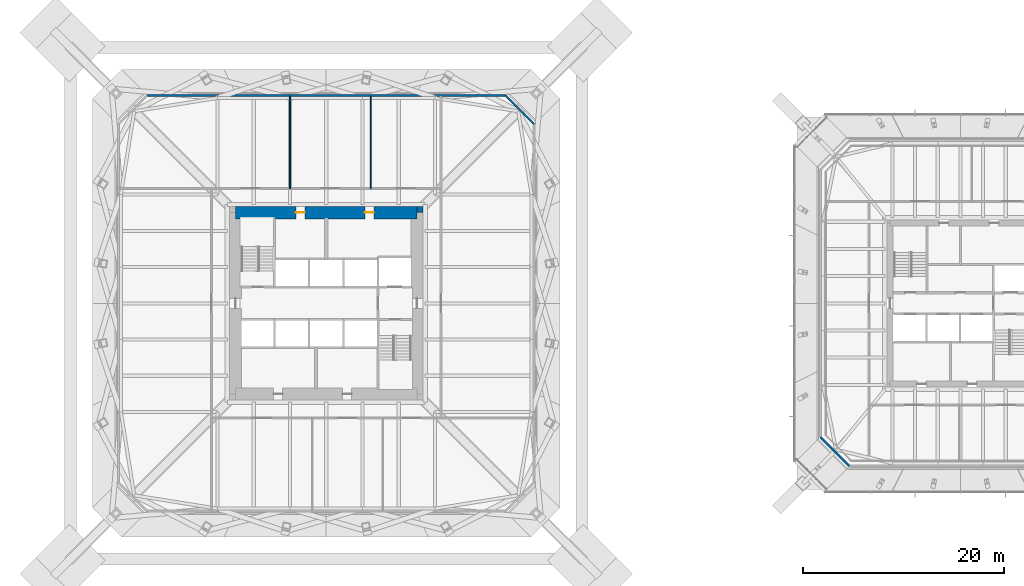
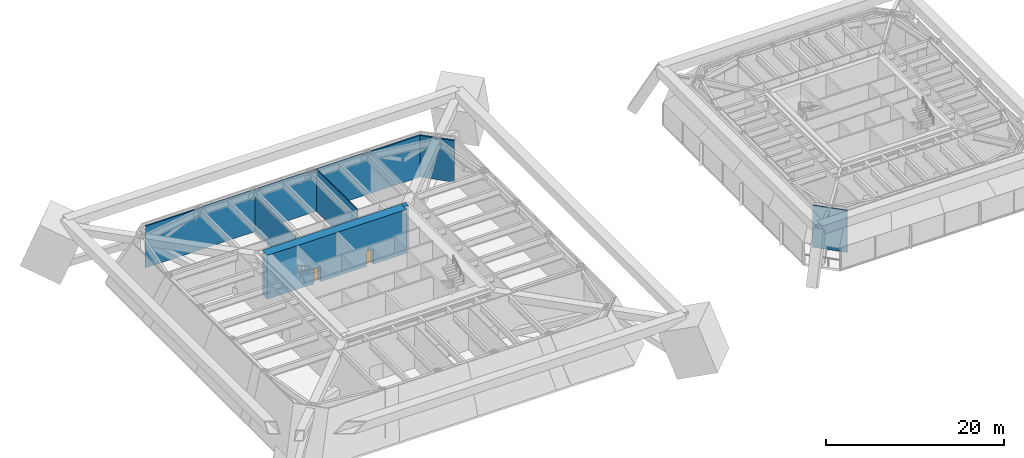
# One storey, part 10 of 16: 7 walls, 2 doors, 2 openings.
"""IFC4 building model written with IfcOpenShell, lengths in metres."""

from ifc_helpers import new_model, si_unit, direction, frame, frame_2d, origin, place, context, subcontext, project, spatial, rectangle, extrude, material, layer, layer_set, type_object, element, fill, save


model = new_model("IFC4")

# Units and contexts
model_context = context("Model", 3, precision=1e-05, world=origin(), true_north=direction((0.0, 1.0)))
body_context = subcontext(model_context, "Body", "Model", "MODEL_VIEW")
ifc_project = project(units=[si_unit("LENGTHUNIT", "METRE"), si_unit("AREAUNIT", "SQUARE_METRE"), si_unit("VOLUMEUNIT", "CUBIC_METRE"), si_unit("PLANEANGLEUNIT", "RADIAN"), si_unit("MASSUNIT", "GRAM", prefix="KILO")], contexts=[model_context])

# Site, building, storey
site_placement = place(None, origin())
site = spatial("IfcSite", under=ifc_project, at=site_placement, CompositionType="ELEMENT")
building_placement = place(site_placement, origin())
building = spatial("IfcBuilding", under=site, at=building_placement, Name="Iwan Alto Co-Living Towers", CompositionType="ELEMENT")
storey_placement = place(building_placement, frame((0.0, 0.0, 74.5)))
storey = spatial("IfcBuildingStorey", under=building, at=storey_placement, Name="L20", CompositionType="ELEMENT", Elevation=74.5)

# Walls
ifc_material_1 = material(Name="Gypsum board")
ifc_layer_1 = layer(ifc_material_1, 0.012451171875, Name="Board", Category="Finish")
ifc_material_2 = material(Name="Steel ASTM A1003 ST33H cold-formed studs", Category="steel")
ifc_layer_2 = layer(ifc_material_2, 0.074951171875, Name="Studs", Category="Framing")
ifc_layer_3 = layer(ifc_material_1, 0.012451171875, Name="Board", Category="Finish")
ifc_layer_set_1 = layer_set([ifc_layer_1, ifc_layer_2, ifc_layer_3], Name="PARTITION 100")
wall_type_1 = type_object("IfcWallType", Name="PARTITION 100", PredefinedType="PARTITIONING", material=ifc_layer_set_1)
wall_1_placement = place(storey_placement, frame((4.39990234375, 11.39990234375, 0.0), z_axis=(0.0, 0.0, 1.0), x_axis=(0.0, 1.0, 0.0)))
element("IfcWall", 1, at=wall_1_placement, inside=storey, type_object=wall_type_1, Name="Partition L20", PredefinedType="PARTITIONING", context=body_context, shape_type="SweptSolid", body=[
    extrude(rectangle(XDim=9.190185546875, YDim=0.10009765625, at=frame_2d((4.59521484375, 0.0))), origin(), (0.0, 0.0, 1.0), 5.77001953125),
])
wall_2_placement = place(storey_placement, frame((-3.60009765625, 11.39990234375, 0.0), z_axis=(0.0, 0.0, 1.0), x_axis=(0.0, 1.0, 0.0)))
element("IfcWall", 2, at=wall_2_placement, inside=storey, type_object=wall_type_1, Name="Partition L20", PredefinedType="PARTITIONING", context=body_context, shape_type="SweptSolid", body=[
    extrude(rectangle(XDim=9.190185546875, YDim=0.10009765625, at=frame_2d((4.59521484375, 0.0))), origin(), (0.0, 0.0, 1.0), 4.843017578125),
])
ifc_material_3 = material(Name="Aluminium 6063-T6 bronze anodised", Category="aluminium")
ifc_layer_4 = layer(ifc_material_3, 0.050048828125, Name="Louvred screen", Category="Finish")
ifc_layer_5 = layer(ifc_material_2, 0.14990234375, Name="Studs", Category="Framing")
ifc_layer_set_2 = layer_set([ifc_layer_4, ifc_layer_5], Name="PLANT PLENUM WALL 200")
wall_type_2 = type_object("IfcWallType", Name="PLANT PLENUM WALL 200", PredefinedType="PARTITIONING", material=ifc_layer_set_2)
wall_3_placement = place(storey_placement, frame((20.64990234375, 17.794921875, 0.0), z_axis=(0.0, 0.0, 1.0), x_axis=(-0.707106781187, 0.707106781187, 0.0)))
element("IfcWall", 3, at=wall_3_placement, inside=storey, type_object=wall_type_2, Name="T1 plant plenum wall L20 4", PredefinedType="PARTITIONING", context=body_context, shape_type="SweptSolid", body=[
    extrude(rectangle(XDim=4.03759765625, YDim=0.199951171875, at=frame_2d((2.018798828125, 0.0))), origin(), (0.0, 0.0, 1.0), 5.699951171875),
])
wall_4_placement = place(storey_placement, frame((17.794921875, 20.64990234375, 0.0), z_axis=(0.0, 0.0, 1.0), x_axis=(-1.0, 0.0, 0.0)))
element("IfcWall", 4, at=wall_4_placement, inside=storey, type_object=wall_type_2, Name="T1 plant plenum wall L20 5", PredefinedType="PARTITIONING", context=body_context, shape_type="SweptSolid", body=[
    extrude(rectangle(XDim=35.58984375, YDim=0.199951171875, at=frame_2d((17.794921875, 0.0))), origin(), (0.0, 0.0, 1.0), 5.699951171875),
])
wall_5_placement = place(storey_placement, frame((49.10009765625, -13.294921875, 0.0), z_axis=(0.0, 0.0, 1.0), x_axis=(0.707106781187, -0.707106781187, 0.0)))
element("IfcWall", 5, at=wall_5_placement, inside=storey, type_object=wall_type_2, Name="T2 plant plenum wall L20 8", PredefinedType="PARTITIONING", context=body_context, shape_type="SweptSolid", body=[
    extrude(rectangle(XDim=4.03759765625, YDim=0.199951171875, at=frame_2d((2.018798828125, 0.0))), origin(), (0.0, 0.0, 1.0), 5.699951171875),
])
ifc_material_4 = material(Name="Concrete f'c 70 MPa", Category="concrete")
ifc_layer_6 = layer(ifc_material_4, 0.60009765625)
ifc_layer_set_3 = layer_set([ifc_layer_6], Name="T1 CORE CORNER FILL 600")
wall_type_3 = type_object("IfcWallType", Name="T1 CORE CORNER FILL 600", PredefinedType="SOLIDWALL", material=ifc_layer_set_3)
wall_6_placement = place(storey_placement, frame((9.0, 9.300048828125, 0.0), z_axis=(0.0, 0.0, 1.0), x_axis=(1.0, 0.0, 0.0)))
element("IfcWall", 6, at=wall_6_placement, inside=storey, type_object=wall_type_3, Name="T1 core corner NE L20", PredefinedType="SOLIDWALL", context=body_context, shape_type="SweptSolid", body=[
    extrude(rectangle(XDim=0.60009765625, YDim=0.60009765625, at=frame_2d((0.300048828125, 0.0))), origin(), (0.0, 0.0, 1.0), 6.0),
])

# Wall, openings, doors
ifc_material_5 = material(Name="Concrete f'c 70 MPa", Category="concrete")
ifc_layer_7 = layer(ifc_material_5, 1.199951171875)
ifc_layer_set_4 = layer_set([ifc_layer_7], Name="T1 CORE WALL 1200")
wall_type_4 = type_object("IfcWallType", Name="T1 CORE WALL 1200", PredefinedType="SHEAR", material=ifc_layer_set_4)
wall_7_placement = place(storey_placement, frame((9.0, 9.0, 0.0), z_axis=(0.0, 0.0, 1.0), x_axis=(-1.0, 0.0, 0.0)))
wall_7 = element("IfcWall", 7, at=wall_7_placement, inside=storey, type_object=wall_type_4, Name="T1 core wall N L20", PredefinedType="SHEAR", context=body_context, shape_type="SweptSolid", body=[
    extrude(rectangle(XDim=18.0, YDim=1.199951171875, at=frame_2d((9.0, 0.0))), origin(), (0.0, 0.0, 1.0), 6.0),
])
opening_1_placement = place(wall_7_placement, frame((11.125, 0.0, 0.0)))
opening_1 = element("IfcOpeningElement", 8, at=opening_1_placement, cuts=wall_7, Name="Opening D8", PredefinedType="OPENING", context=body_context, shape_type="SweptSolid", body=[
    extrude(rectangle(XDim=0.89990234375, YDim=2.10009765625, at=frame_2d((0.449951171875, 1.050048828125))), frame((0.0, 0.60986328125, 0.0), z_axis=(0.0, -1.0, 0.0), x_axis=(1.0, 0.0, 0.0)), (0.0, 0.0, 1.0), 1.219970703125),
])
opening_2_placement = place(wall_7_placement, frame((4.27490234375, 0.0, 0.0)))
opening_2 = element("IfcOpeningElement", 9, at=opening_2_placement, cuts=wall_7, Name="Opening D8", PredefinedType="OPENING", context=body_context, shape_type="SweptSolid", body=[
    extrude(rectangle(XDim=0.89990234375, YDim=2.10009765625, at=frame_2d((0.449951171875, 1.050048828125))), frame((0.0, 0.60986328125, 0.0), z_axis=(0.0, -1.0, 0.0), x_axis=(1.0, 0.0, 0.0)), (0.0, 0.0, 1.0), 1.219970703125),
])
ifc_material_6 = material(Name="Steel frame with timber leaf", Category="steel")
door_type = type_object("IfcDoorType", Name="RISER DOOR FD120 900X2100", OperationType="SINGLE_SWING_LEFT", PredefinedType="DOOR", material=ifc_material_6)
door_1_placement = place(opening_1_placement, origin())
door_1 = element("IfcDoor", 10, at=door_1_placement, inside=storey, type_object=door_type, Name="Electrical riser core door L20", OperationType="SINGLE_SWING_RIGHT", OverallHeight=2.10009765625, OverallWidth=0.89990234375, PredefinedType="DOOR", context=body_context, shape_type="SweptSolid", body=[
    extrude(rectangle(XDim=0.89990234375, YDim=2.10009765625, at=frame_2d((0.449951171875, 1.050048828125))), frame((0.0, 0.02490234375, 0.0), z_axis=(0.0, -1.0, 0.0), x_axis=(1.0, 0.0, 0.0)), (0.0, 0.0, 1.0), 0.050048828125),
])
fill(opening_1, door_1)
door_2_placement = place(opening_2_placement, origin())
door_2 = element("IfcDoor", 11, at=door_2_placement, inside=storey, type_object=door_type, Name="Water and drainage riser core door L20", OperationType="SINGLE_SWING_RIGHT", OverallHeight=2.10009765625, OverallWidth=0.89990234375, PredefinedType="DOOR", context=body_context, shape_type="SweptSolid", body=[
    extrude(rectangle(XDim=0.89990234375, YDim=2.10009765625, at=frame_2d((0.449951171875, 1.050048828125))), frame((0.0, 0.02490234375, 0.0), z_axis=(0.0, -1.0, 0.0), x_axis=(1.0, 0.0, 0.0)), (0.0, 0.0, 1.0), 0.050048828125),
])
fill(opening_2, door_2)

save(model, "model.ifc")
